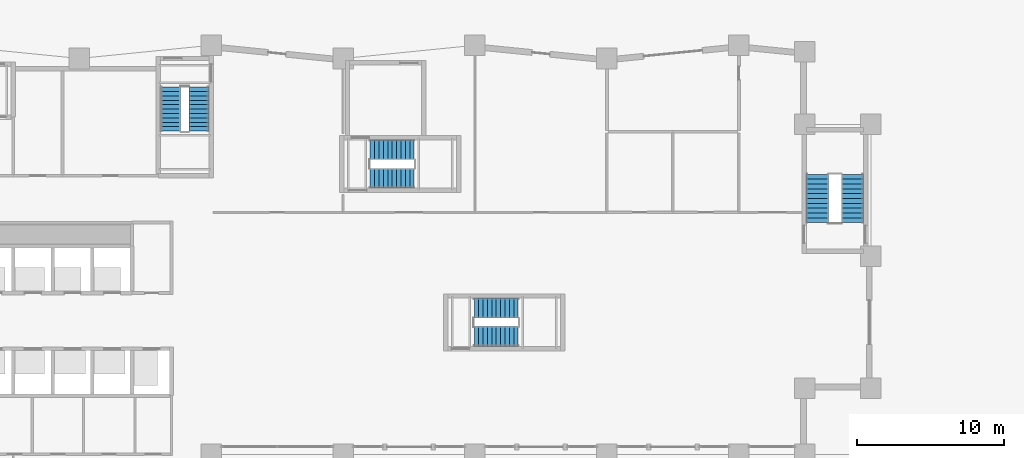
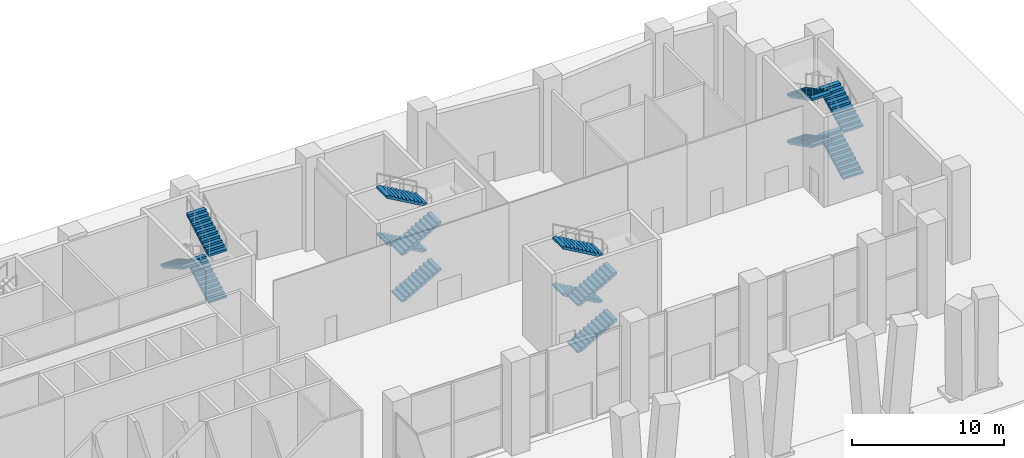
# One storey, part 12 of 16: 15 stair flights, 4 elements without a shape of their own.
"""IFC4 building model written with IfcOpenShell, lengths in metres."""

import ifcopenshell
import ifcopenshell.guid

model = None  # the IFC model being written
_history = None  # IfcOwnerHistory: only IFC2X3 demands one
_inside = {}  # id of a spatial element -> (the spatial element, [elements in it])
_under = {}  # id of a project, library or spatial element -> (it, [spatial elements below it])
_declared = {}  # id of a project -> (the project, [libraries it declares])
_typed = {}  # id of a type object -> (the type object, [elements of that type])
_made_of = {}  # id of a material, layer set ... -> (it, [elements and type objects made of it])


def new_model(schema):
    """Start an empty IFC model of exactly this schema.

    Asked for "IFC4X3", IfcOpenShell would pick the latest addendum, in which some entities
    have other attributes; the version numbers below select the first issue.
    IFC2X3 requires an IfcOwnerHistory on every rooted entity: one is made here for all.
    """
    global model, _history
    if schema == "IFC4X3":
        model = ifcopenshell.file(schema_version=(4, 3, 0, 0))
    else:
        model = ifcopenshell.file(schema=schema)
    _inside.clear()
    _under.clear()
    _declared.clear()
    _typed.clear()
    _made_of.clear()
    _history = None
    if model.schema == "IFC2X3":
        org = make("IfcOrganization", Name="unknown")
        user = make(
            "IfcPersonAndOrganization",
            ThePerson=make("IfcPerson", FamilyName="unknown"),
            TheOrganization=org,
        )
        app = make(
            "IfcApplication",
            ApplicationDeveloper=org,
            Version="unknown",
            ApplicationFullName="unknown",
            ApplicationIdentifier="unknown",
        )
        _history = make(
            "IfcOwnerHistory",
            OwningUser=user,
            OwningApplication=app,
            ChangeAction="ADDED",
            CreationDate=0,
        )
    return model


def make(cls, **values):
    """One entity of the class cls with the attributes given. An attribute that is None is left unset."""
    return model.create_entity(
        cls, **{name: value for name, value in values.items() if value is not None}
    )


def rooted(cls, **values):
    """An entity with a GlobalId (a new one), such as an element, a storey or a relation."""
    return make(cls, GlobalId=ifcopenshell.guid.new(), OwnerHistory=_history, **values)


def si_unit(unit_type, name, prefix=None):
    """IfcSIUnit, for example si_unit("LENGTHUNIT", "METRE", prefix="MILLI")."""
    return make("IfcSIUnit", UnitType=unit_type, Prefix=prefix, Name=name)


def assignment(units):
    """IfcUnitAssignment: the units of a project."""
    return None if units is None else make("IfcUnitAssignment", Units=units)


def point(xyz):
    """IfcCartesianPoint."""
    return None if xyz is None else make("IfcCartesianPoint", Coordinates=xyz)


def direction(xyz):
    """IfcDirection."""
    return None if xyz is None else make("IfcDirection", DirectionRatios=xyz)


def frame(location, z_axis=None, x_axis=None):
    """IfcAxis2Placement3D, a coordinate frame: its origin and axes. An axis left out is left unset."""
    return make(
        "IfcAxis2Placement3D",
        Location=point(location),
        Axis=direction(z_axis),
        RefDirection=direction(x_axis),
    )


def origin():
    """The frame at (0, 0, 0) with its axes left unset."""
    return frame((0.0, 0.0, 0.0))


def place(relative_to, where):
    """IfcLocalPlacement: puts the frame where relative to a parent placement (None: the world)."""
    return make(
        "IfcLocalPlacement", PlacementRelTo=relative_to, RelativePlacement=where
    )


def context(
    kind, dimensions, precision=None, world=None, true_north=None, identifier=None
):
    """IfcGeometricRepresentationContext, for example the 3D "Model" context."""
    return make(
        "IfcGeometricRepresentationContext",
        ContextIdentifier=identifier,
        ContextType=kind,
        CoordinateSpaceDimension=dimensions,
        Precision=precision,
        WorldCoordinateSystem=world,
        TrueNorth=true_north,
    )


def subcontext(parent, identifier, kind, view, scale=None):
    """IfcGeometricRepresentationSubContext, for example "Body" below "Model"."""
    return make(
        "IfcGeometricRepresentationSubContext",
        ContextIdentifier=identifier,
        ContextType=kind,
        ParentContext=parent,
        TargetScale=scale,
        TargetView=view,
    )


def project(units=None, contexts=None):
    """IfcProject with its units and contexts."""
    return rooted(
        "IfcProject",
        Name="project",
        RepresentationContexts=contexts,
        UnitsInContext=assignment(units),
    )


def spatial(cls, under=None, at=None, **own):
    """A site, building, storey or space (cls), placed at a placement, below another one or the project."""
    s = rooted(cls, ObjectPlacement=at, **own)
    if under is not None:
        _under.setdefault(under.id(), (under, []))[1].append(s)
    return s


def polyline(points):
    """IfcPolyline through the points."""
    return make("IfcPolyline", Points=[point(p) for p in points])


def outline(outer, holes=None, kind="AREA"):
    """IfcArbitraryClosedProfileDef: a profile drawn as a closed curve; with holes, ...WithVoids."""
    if holes is None:
        return make("IfcArbitraryClosedProfileDef", ProfileType=kind, OuterCurve=outer)
    return make(
        "IfcArbitraryProfileDefWithVoids",
        ProfileType=kind,
        OuterCurve=outer,
        InnerCurves=holes,
    )


def extrude(swept, where, along, depth):
    """IfcExtrudedAreaSolid: the profile swept, set in the frame where, extruded along a direction by depth."""
    return make(
        "IfcExtrudedAreaSolid",
        SweptArea=swept,
        Position=where,
        ExtrudedDirection=direction(along),
        Depth=depth,
    )


def shape(context_of_items, identifier, shape_type, items):
    """IfcShapeRepresentation: the items that make up one representation, for example the "Body"."""
    return make(
        "IfcShapeRepresentation",
        ContextOfItems=context_of_items,
        RepresentationIdentifier=identifier,
        RepresentationType=shape_type,
        Items=items,
    )


def material(Name=None, Category=None):
    """IfcMaterial."""
    return make("IfcMaterial", Name=Name, Category=Category)


def made_of(thing, what):
    """Note that an element or type object is made of a material, layer set ...; save() writes the relation."""
    if what is not None:
        _made_of.setdefault(what.id(), (what, []))[1].append(thing)
    return thing


def type_object(cls, material=None, **own):
    """A type object (cls), such as IfcWallType, which elements share."""
    return made_of(rooted(cls, **own), material)


def element(
    cls,
    number,
    at=None,
    inside=None,
    cuts=None,
    type_object=None,
    material=None,
    context=None,
    identifier="Body",
    shape_type=None,
    held_by="IfcProductDefinitionShape",
    body=None,
    shapes=None,
    **own,
):
    """One element of the class cls, such as IfcWall. Its Tag is "e" and its number.

    at: its placement. inside: the storey or other place that contains it. cuts: it is an
    opening in that element (IfcRelVoidsElement). A single representation is given by context,
    identifier, shape_type and body (its items); several are given by shapes. held_by: the class
    of the entity that holds the representations. save() writes the other relations.
    """
    e = rooted(cls, Tag="e%d" % number, ObjectPlacement=at, **own)
    if body is not None:
        shapes = [shape(context, identifier, shape_type, body)]
    if shapes is not None:
        e.Representation = make(held_by, Representations=shapes)
    if inside is not None:
        _inside.setdefault(inside.id(), (inside, []))[1].append(e)
    if cuts is not None:
        rooted(
            "IfcRelVoidsElement", RelatingBuildingElement=cuts, RelatedOpeningElement=e
        )
    if type_object is not None:
        _typed.setdefault(type_object.id(), (type_object, []))[1].append(e)
    return made_of(e, material)


def aggregate(whole, parts):
    """IfcRelAggregates: a whole, such as a stair, and the parts it consists of."""
    return rooted("IfcRelAggregates", RelatingObject=whole, RelatedObjects=parts)


def save(model, path):
    """Write the relations noted so far, then the file.

    IfcRelAggregates (storeys below a building ...), IfcRelContainedInSpatialStructure (elements
    in a storey), IfcRelDefinesByType, IfcRelAssociatesMaterial and IfcRelDeclares: one each for
    every whole, place, type object, material and project.
    """
    for whole, parts in _under.values():
        aggregate(whole, parts)
    for where, things in _inside.values():
        rooted(
            "IfcRelContainedInSpatialStructure",
            RelatedElements=things,
            RelatingStructure=where,
        )
    for kind, things in _typed.values():
        rooted("IfcRelDefinesByType", RelatedObjects=things, RelatingType=kind)
    for what, things in _made_of.values():
        rooted("IfcRelAssociatesMaterial", RelatedObjects=things, RelatingMaterial=what)
    for by, libraries in _declared.values():
        rooted("IfcRelDeclares", RelatingContext=by, RelatedDefinitions=libraries)
    model.write(path)


model = new_model("IFC4")

# Units and contexts
model_context = context("Model", 3, precision=1e-05, world=origin(), true_north=direction((0.0, 1.0)))
body_context = subcontext(model_context, "Body", "Model", "MODEL_VIEW")
ifc_project = project(units=[si_unit("LENGTHUNIT", "METRE"), si_unit("AREAUNIT", "SQUARE_METRE"), si_unit("VOLUMEUNIT", "CUBIC_METRE"), si_unit("PLANEANGLEUNIT", "RADIAN"), si_unit("MASSUNIT", "GRAM", prefix="KILO")], contexts=[model_context])

# Site, building, storey
site_placement = place(None, origin())
site = spatial("IfcSite", under=ifc_project, at=site_placement, CompositionType="ELEMENT")
building_placement = place(site_placement, origin())
building = spatial("IfcBuilding", under=site, at=building_placement, Name="Brondeck Convention Tower", CompositionType="ELEMENT")
storey_placement = place(building_placement, origin())
storey = spatial("IfcBuildingStorey", under=building, at=storey_placement, Name="L00", CompositionType="ELEMENT", Elevation=0.0)

# Stair, stair flights
ifc_material = material(Name="Precast concrete C50/60", Category="concrete")
stair_type_1 = type_object("IfcStairType", Name="Core stair 44 risers 170.45 mm riser 300 mm going 1350 wide", PredefinedType="HALF_TURN_STAIR", material=ifc_material)
stair_1_placement = place(storey_placement, origin())
stair_1 = element("IfcStair", 1, at=stair_1_placement, inside=storey, type_object=stair_type_1, Name="ST-2 L00 stair", PredefinedType="HALF_TURN_STAIR")
stair_flight_type_1 = type_object("IfcStairFlightType", Name="Core stair flight 44 risers 170.45 mm riser 300 mm going 1350 wide", PredefinedType="STRAIGHT", material=ifc_material)
stair_flight_1_placement = place(storey_placement, frame((26.175048828125, 58.050048828125, 1.875), z_axis=(0.0, 0.0, 1.0), x_axis=(0.0, 1.0, 0.0)))
stair_flight_1 = element("IfcStairFlight", 2, at=stair_flight_1_placement, type_object=stair_flight_type_1, Name="ST-2 flight 2", NumberOfRisers=11, NumberOfTreads=10, PredefinedType="STRAIGHT", RiserHeight=0.170454545, TreadLength=0.3, context=body_context, shape_type="SweptSolid", body=[
    extrude(outline(polyline([(0.0, 0.0), (0.0, 0.17041015625), (0.300048828125, 0.17041015625), (0.300048828125, 0.3408203125), (0.60009765625, 0.3408203125), (0.60009765625, 0.511474609375), (0.89990234375, 0.511474609375), (0.89990234375, 0.681884765625), (1.199951171875, 0.681884765625), (1.199951171875, 0.852294921875), (1.5, 0.852294921875), (1.5, 1.022705078125), (1.800048828125, 1.022705078125), (1.800048828125, 1.193115234375), (2.10009765625, 1.193115234375), (2.10009765625, 1.363525390625), (2.39990234375, 1.363525390625), (2.39990234375, 1.5341796875), (2.699951171875, 1.5341796875), (2.699951171875, 1.70458984375), (3.0, 1.70458984375), (3.0, 1.875), (3.0, 1.5322265625), (0.303466796875, 0.0), (0.0, 0.0)])), frame((0.0, 0.675048828125, 0.0), z_axis=(0.0, -1.0, 0.0), x_axis=(1.0, 0.0, 0.0)), (0.0, 0.0, 1.0), 1.35009765625),
])
stair_flight_2_placement = place(storey_placement, frame((24.22509765625, 61.050048828125, 3.75), z_axis=(0.0, 0.0, 1.0), x_axis=(0.0, -1.0, 0.0)))
stair_flight_2 = element("IfcStairFlight", 3, at=stair_flight_2_placement, type_object=stair_flight_type_1, Name="ST-2 flight 3", NumberOfRisers=11, NumberOfTreads=10, PredefinedType="STRAIGHT", RiserHeight=0.170454545, TreadLength=0.3, context=body_context, shape_type="SweptSolid", body=[
    extrude(outline(polyline([(0.0, 0.0), (0.0, 0.17041015625), (0.300048828125, 0.17041015625), (0.300048828125, 0.3408203125), (0.60009765625, 0.3408203125), (0.60009765625, 0.511474609375), (0.89990234375, 0.511474609375), (0.89990234375, 0.681884765625), (1.199951171875, 0.681884765625), (1.199951171875, 0.852294921875), (1.5, 0.852294921875), (1.5, 1.022705078125), (1.800048828125, 1.022705078125), (1.800048828125, 1.193115234375), (2.10009765625, 1.193115234375), (2.10009765625, 1.363525390625), (2.39990234375, 1.363525390625), (2.39990234375, 1.5341796875), (2.699951171875, 1.5341796875), (2.699951171875, 1.70458984375), (3.0, 1.70458984375), (3.0, 1.875), (3.0, 1.5322265625), (0.303466796875, 0.0), (0.0, 0.0)])), frame((0.0, 0.675048828125, 0.0), z_axis=(0.0, -1.0, 0.0), x_axis=(1.0, 0.0, 0.0)), (0.0, 0.0, 1.0), 1.35009765625),
])
stair_flight_3_placement = place(storey_placement, frame((26.175048828125, 58.050048828125, 5.625), z_axis=(0.0, 0.0, 1.0), x_axis=(0.0, 1.0, 0.0)))
stair_flight_3 = element("IfcStairFlight", 4, at=stair_flight_3_placement, type_object=stair_flight_type_1, Name="ST-2 flight 4", NumberOfRisers=11, NumberOfTreads=10, PredefinedType="STRAIGHT", RiserHeight=0.170454545, TreadLength=0.3, context=body_context, shape_type="SweptSolid", body=[
    extrude(outline(polyline([(0.0, 0.0), (0.0, 0.17041015625), (0.300048828125, 0.17041015625), (0.300048828125, 0.3408203125), (0.60009765625, 0.3408203125), (0.60009765625, 0.511474609375), (0.89990234375, 0.511474609375), (0.89990234375, 0.681884765625), (1.199951171875, 0.681884765625), (1.199951171875, 0.852294921875), (1.5, 0.852294921875), (1.5, 1.022705078125), (1.800048828125, 1.022705078125), (1.800048828125, 1.193115234375), (2.10009765625, 1.193115234375), (2.10009765625, 1.363525390625), (2.39990234375, 1.363525390625), (2.39990234375, 1.5341796875), (2.699951171875, 1.5341796875), (2.699951171875, 1.70458984375), (3.0, 1.70458984375), (3.0, 1.875), (3.0, 1.5322265625), (0.303466796875, 0.0), (0.0, 0.0)])), frame((0.0, 0.675048828125, 0.0), z_axis=(0.0, -1.0, 0.0), x_axis=(1.0, 0.0, 0.0)), (0.0, 0.0, 1.0), 1.35009765625),
])
aggregate(stair_1, [stair_flight_1, stair_flight_2, stair_flight_3])

stair_2_placement = place(storey_placement, origin())
stair_2 = element("IfcStair", 5, at=stair_2_placement, inside=storey, type_object=stair_type_1, Name="ST-AE L00 stair", PredefinedType="HALF_TURN_STAIR")
stair_flight_4_placement = place(storey_placement, frame((37.85009765625, 54.824951171875, 0.0), z_axis=(0.0, 0.0, 1.0), x_axis=(1.0, 0.0, 0.0)))
stair_flight_4 = element("IfcStairFlight", 6, at=stair_flight_4_placement, type_object=stair_flight_type_1, Name="ST-AE flight 1", NumberOfRisers=11, NumberOfTreads=10, PredefinedType="STRAIGHT", RiserHeight=0.170454545, TreadLength=0.3, context=body_context, shape_type="SweptSolid", body=[
    extrude(outline(polyline([(0.0, 0.0), (0.0, 0.17041015625), (0.300048828125, 0.17041015625), (0.300048828125, 0.3408203125), (0.60009765625, 0.3408203125), (0.60009765625, 0.511474609375), (0.89990234375, 0.511474609375), (0.89990234375, 0.681884765625), (1.199951171875, 0.681884765625), (1.199951171875, 0.852294921875), (1.5, 0.852294921875), (1.5, 1.022705078125), (1.800048828125, 1.022705078125), (1.800048828125, 1.193115234375), (2.10009765625, 1.193115234375), (2.10009765625, 1.363525390625), (2.39990234375, 1.363525390625), (2.39990234375, 1.5341796875), (2.699951171875, 1.5341796875), (2.699951171875, 1.70458984375), (3.0, 1.70458984375), (3.0, 1.875), (3.0, 1.5322265625), (0.303466796875, 0.0), (0.0, 0.0)])), frame((0.0, 0.675048828125, 0.0), z_axis=(0.0, -1.0, 0.0), x_axis=(1.0, 0.0, 0.0)), (0.0, 0.0, 1.0), 1.35009765625),
])
stair_flight_5_placement = place(storey_placement, frame((40.85009765625, 56.77490234375, 1.875), z_axis=(0.0, 0.0, 1.0), x_axis=(-1.0, 0.0, 0.0)))
stair_flight_5 = element("IfcStairFlight", 7, at=stair_flight_5_placement, type_object=stair_flight_type_1, Name="ST-AE flight 2", NumberOfRisers=11, NumberOfTreads=10, PredefinedType="STRAIGHT", RiserHeight=0.170454545, TreadLength=0.3, context=body_context, shape_type="SweptSolid", body=[
    extrude(outline(polyline([(0.0, 0.0), (0.0, 0.17041015625), (0.300048828125, 0.17041015625), (0.300048828125, 0.3408203125), (0.60009765625, 0.3408203125), (0.60009765625, 0.511474609375), (0.89990234375, 0.511474609375), (0.89990234375, 0.681884765625), (1.199951171875, 0.681884765625), (1.199951171875, 0.852294921875), (1.5, 0.852294921875), (1.5, 1.022705078125), (1.800048828125, 1.022705078125), (1.800048828125, 1.193115234375), (2.10009765625, 1.193115234375), (2.10009765625, 1.363525390625), (2.39990234375, 1.363525390625), (2.39990234375, 1.5341796875), (2.699951171875, 1.5341796875), (2.699951171875, 1.70458984375), (3.0, 1.70458984375), (3.0, 1.875), (3.0, 1.5322265625), (0.303466796875, 0.0), (0.0, 0.0)])), frame((0.0, 0.675048828125, 0.0), z_axis=(0.0, -1.0, 0.0), x_axis=(1.0, 0.0, 0.0)), (0.0, 0.0, 1.0), 1.35009765625),
])
stair_flight_6_placement = place(storey_placement, frame((37.85009765625, 54.824951171875, 3.75), z_axis=(0.0, 0.0, 1.0), x_axis=(1.0, 0.0, 0.0)))
stair_flight_6 = element("IfcStairFlight", 8, at=stair_flight_6_placement, type_object=stair_flight_type_1, Name="ST-AE flight 3", NumberOfRisers=11, NumberOfTreads=10, PredefinedType="STRAIGHT", RiserHeight=0.170454545, TreadLength=0.3, context=body_context, shape_type="SweptSolid", body=[
    extrude(outline(polyline([(0.0, 0.0), (0.0, 0.17041015625), (0.300048828125, 0.17041015625), (0.300048828125, 0.3408203125), (0.60009765625, 0.3408203125), (0.60009765625, 0.511474609375), (0.89990234375, 0.511474609375), (0.89990234375, 0.681884765625), (1.199951171875, 0.681884765625), (1.199951171875, 0.852294921875), (1.5, 0.852294921875), (1.5, 1.022705078125), (1.800048828125, 1.022705078125), (1.800048828125, 1.193115234375), (2.10009765625, 1.193115234375), (2.10009765625, 1.363525390625), (2.39990234375, 1.363525390625), (2.39990234375, 1.5341796875), (2.699951171875, 1.5341796875), (2.699951171875, 1.70458984375), (3.0, 1.70458984375), (3.0, 1.875), (3.0, 1.5322265625), (0.303466796875, 0.0), (0.0, 0.0)])), frame((0.0, 0.675048828125, 0.0), z_axis=(0.0, -1.0, 0.0), x_axis=(1.0, 0.0, 0.0)), (0.0, 0.0, 1.0), 1.35009765625),
])
stair_flight_7_placement = place(storey_placement, frame((40.85009765625, 56.77490234375, 5.625), z_axis=(0.0, 0.0, 1.0), x_axis=(-1.0, 0.0, 0.0)))
stair_flight_7 = element("IfcStairFlight", 9, at=stair_flight_7_placement, type_object=stair_flight_type_1, Name="ST-AE flight 4", NumberOfRisers=11, NumberOfTreads=10, PredefinedType="STRAIGHT", RiserHeight=0.170454545, TreadLength=0.3, context=body_context, shape_type="SweptSolid", body=[
    extrude(outline(polyline([(0.0, 0.0), (0.0, 0.17041015625), (0.300048828125, 0.17041015625), (0.300048828125, 0.3408203125), (0.60009765625, 0.3408203125), (0.60009765625, 0.511474609375), (0.89990234375, 0.511474609375), (0.89990234375, 0.681884765625), (1.199951171875, 0.681884765625), (1.199951171875, 0.852294921875), (1.5, 0.852294921875), (1.5, 1.022705078125), (1.800048828125, 1.022705078125), (1.800048828125, 1.193115234375), (2.10009765625, 1.193115234375), (2.10009765625, 1.363525390625), (2.39990234375, 1.363525390625), (2.39990234375, 1.5341796875), (2.699951171875, 1.5341796875), (2.699951171875, 1.70458984375), (3.0, 1.70458984375), (3.0, 1.875), (3.0, 1.5322265625), (0.303466796875, 0.0), (0.0, 0.0)])), frame((0.0, 0.675048828125, 0.0), z_axis=(0.0, -1.0, 0.0), x_axis=(1.0, 0.0, 0.0)), (0.0, 0.0, 1.0), 1.35009765625),
])
aggregate(stair_2, [stair_flight_4, stair_flight_5, stair_flight_6, stair_flight_7])

stair_3_placement = place(storey_placement, origin())
stair_3 = element("IfcStair", 10, at=stair_3_placement, inside=storey, type_object=stair_type_1, Name="ST-AF L00 stair", PredefinedType="HALF_TURN_STAIR")
stair_flight_8_placement = place(storey_placement, frame((44.949951171875, 44.02490234375, 0.0), z_axis=(0.0, 0.0, 1.0), x_axis=(1.0, 0.0, 0.0)))
stair_flight_8 = element("IfcStairFlight", 11, at=stair_flight_8_placement, type_object=stair_flight_type_1, Name="ST-AF flight 1", NumberOfRisers=11, NumberOfTreads=10, PredefinedType="STRAIGHT", RiserHeight=0.170454545, TreadLength=0.3, context=body_context, shape_type="SweptSolid", body=[
    extrude(outline(polyline([(0.0, 0.0), (0.0, 0.17041015625), (0.300048828125, 0.17041015625), (0.300048828125, 0.3408203125), (0.60009765625, 0.3408203125), (0.60009765625, 0.511474609375), (0.89990234375, 0.511474609375), (0.89990234375, 0.681884765625), (1.199951171875, 0.681884765625), (1.199951171875, 0.852294921875), (1.5, 0.852294921875), (1.5, 1.022705078125), (1.800048828125, 1.022705078125), (1.800048828125, 1.193115234375), (2.10009765625, 1.193115234375), (2.10009765625, 1.363525390625), (2.39990234375, 1.363525390625), (2.39990234375, 1.5341796875), (2.699951171875, 1.5341796875), (2.699951171875, 1.70458984375), (3.0, 1.70458984375), (3.0, 1.875), (3.0, 1.5322265625), (0.303466796875, 0.0), (0.0, 0.0)])), frame((0.0, 0.675048828125, 0.0), z_axis=(0.0, -1.0, 0.0), x_axis=(1.0, 0.0, 0.0)), (0.0, 0.0, 1.0), 1.35009765625),
])
stair_flight_9_placement = place(storey_placement, frame((47.949951171875, 45.97509765625, 1.875), z_axis=(0.0, 0.0, 1.0), x_axis=(-1.0, 0.0, 0.0)))
stair_flight_9 = element("IfcStairFlight", 12, at=stair_flight_9_placement, type_object=stair_flight_type_1, Name="ST-AF flight 2", NumberOfRisers=11, NumberOfTreads=10, PredefinedType="STRAIGHT", RiserHeight=0.170454545, TreadLength=0.3, context=body_context, shape_type="SweptSolid", body=[
    extrude(outline(polyline([(0.0, 0.0), (0.0, 0.17041015625), (0.300048828125, 0.17041015625), (0.300048828125, 0.3408203125), (0.60009765625, 0.3408203125), (0.60009765625, 0.511474609375), (0.89990234375, 0.511474609375), (0.89990234375, 0.681884765625), (1.199951171875, 0.681884765625), (1.199951171875, 0.852294921875), (1.5, 0.852294921875), (1.5, 1.022705078125), (1.800048828125, 1.022705078125), (1.800048828125, 1.193115234375), (2.10009765625, 1.193115234375), (2.10009765625, 1.363525390625), (2.39990234375, 1.363525390625), (2.39990234375, 1.5341796875), (2.699951171875, 1.5341796875), (2.699951171875, 1.70458984375), (3.0, 1.70458984375), (3.0, 1.875), (3.0, 1.5322265625), (0.303466796875, 0.0), (0.0, 0.0)])), frame((0.0, 0.675048828125, 0.0), z_axis=(0.0, -1.0, 0.0), x_axis=(1.0, 0.0, 0.0)), (0.0, 0.0, 1.0), 1.35009765625),
])
stair_flight_10_placement = place(storey_placement, frame((44.949951171875, 44.02490234375, 3.75), z_axis=(0.0, 0.0, 1.0), x_axis=(1.0, 0.0, 0.0)))
stair_flight_10 = element("IfcStairFlight", 13, at=stair_flight_10_placement, type_object=stair_flight_type_1, Name="ST-AF flight 3", NumberOfRisers=11, NumberOfTreads=10, PredefinedType="STRAIGHT", RiserHeight=0.170454545, TreadLength=0.3, context=body_context, shape_type="SweptSolid", body=[
    extrude(outline(polyline([(0.0, 0.0), (0.0, 0.17041015625), (0.300048828125, 0.17041015625), (0.300048828125, 0.3408203125), (0.60009765625, 0.3408203125), (0.60009765625, 0.511474609375), (0.89990234375, 0.511474609375), (0.89990234375, 0.681884765625), (1.199951171875, 0.681884765625), (1.199951171875, 0.852294921875), (1.5, 0.852294921875), (1.5, 1.022705078125), (1.800048828125, 1.022705078125), (1.800048828125, 1.193115234375), (2.10009765625, 1.193115234375), (2.10009765625, 1.363525390625), (2.39990234375, 1.363525390625), (2.39990234375, 1.5341796875), (2.699951171875, 1.5341796875), (2.699951171875, 1.70458984375), (3.0, 1.70458984375), (3.0, 1.875), (3.0, 1.5322265625), (0.303466796875, 0.0), (0.0, 0.0)])), frame((0.0, 0.675048828125, 0.0), z_axis=(0.0, -1.0, 0.0), x_axis=(1.0, 0.0, 0.0)), (0.0, 0.0, 1.0), 1.35009765625),
])
stair_flight_11_placement = place(storey_placement, frame((47.949951171875, 45.97509765625, 5.625), z_axis=(0.0, 0.0, 1.0), x_axis=(-1.0, 0.0, 0.0)))
stair_flight_11 = element("IfcStairFlight", 14, at=stair_flight_11_placement, type_object=stair_flight_type_1, Name="ST-AF flight 4", NumberOfRisers=11, NumberOfTreads=10, PredefinedType="STRAIGHT", RiserHeight=0.170454545, TreadLength=0.3, context=body_context, shape_type="SweptSolid", body=[
    extrude(outline(polyline([(0.0, 0.0), (0.0, 0.17041015625), (0.300048828125, 0.17041015625), (0.300048828125, 0.3408203125), (0.60009765625, 0.3408203125), (0.60009765625, 0.511474609375), (0.89990234375, 0.511474609375), (0.89990234375, 0.681884765625), (1.199951171875, 0.681884765625), (1.199951171875, 0.852294921875), (1.5, 0.852294921875), (1.5, 1.022705078125), (1.800048828125, 1.022705078125), (1.800048828125, 1.193115234375), (2.10009765625, 1.193115234375), (2.10009765625, 1.363525390625), (2.39990234375, 1.363525390625), (2.39990234375, 1.5341796875), (2.699951171875, 1.5341796875), (2.699951171875, 1.70458984375), (3.0, 1.70458984375), (3.0, 1.875), (3.0, 1.5322265625), (0.303466796875, 0.0), (0.0, 0.0)])), frame((0.0, 0.675048828125, 0.0), z_axis=(0.0, -1.0, 0.0), x_axis=(1.0, 0.0, 0.0)), (0.0, 0.0, 1.0), 1.35009765625),
])
aggregate(stair_3, [stair_flight_8, stair_flight_9, stair_flight_10, stair_flight_11])

stair_type_2 = type_object("IfcStairType", Name="Core stair 44 risers 170.45 mm riser 330 mm going 1500 wide", PredefinedType="HALF_TURN_STAIR", material=ifc_material)
stair_4_placement = place(storey_placement, origin())
stair_4 = element("IfcStair", 15, at=stair_4_placement, inside=storey, type_object=stair_type_2, Name="PS-1 L00 stair", PredefinedType="HALF_TURN_STAIR")
stair_flight_type_2 = type_object("IfcStairFlightType", Name="Core stair flight 44 risers 170.45 mm riser 330 mm going 1500 wide", PredefinedType="STRAIGHT", material=ifc_material)
stair_flight_12_placement = place(storey_placement, frame((70.75, 51.800048828125, 0.0), z_axis=(0.0, 0.0, 1.0), x_axis=(0.0, 1.0, 0.0)))
stair_flight_12 = element("IfcStairFlight", 16, at=stair_flight_12_placement, type_object=stair_flight_type_2, Name="PS-1 flight 1", NumberOfRisers=11, NumberOfTreads=10, PredefinedType="STRAIGHT", RiserHeight=0.170454545, TreadLength=0.33, context=body_context, shape_type="SweptSolid", body=[
    extrude(outline(polyline([(0.0, 0.0), (0.0, 0.17041015625), (0.330078125, 0.17041015625), (0.330078125, 0.3408203125), (0.659912109375, 0.3408203125), (0.659912109375, 0.511474609375), (0.989990234375, 0.511474609375), (0.989990234375, 0.681884765625), (1.320068359375, 0.681884765625), (1.320068359375, 0.852294921875), (1.64990234375, 0.852294921875), (1.64990234375, 1.022705078125), (1.97998046875, 1.022705078125), (1.97998046875, 1.193115234375), (2.31005859375, 1.193115234375), (2.31005859375, 1.363525390625), (2.639892578125, 1.363525390625), (2.639892578125, 1.5341796875), (2.969970703125, 1.5341796875), (2.969970703125, 1.70458984375), (3.300048828125, 1.70458984375), (3.300048828125, 1.875), (3.300048828125, 1.535888671875), (0.32666015625, 0.0), (0.0, 0.0)])), frame((0.0, 0.75, 0.0), z_axis=(0.0, -1.0, 0.0), x_axis=(1.0, 0.0, 0.0)), (0.0, 0.0, 1.0), 1.5),
])
stair_flight_13_placement = place(storey_placement, frame((68.35009765625, 55.10009765625, 1.875), z_axis=(0.0, 0.0, 1.0), x_axis=(0.0, -1.0, 0.0)))
stair_flight_13 = element("IfcStairFlight", 17, at=stair_flight_13_placement, type_object=stair_flight_type_2, Name="PS-1 flight 2", NumberOfRisers=11, NumberOfTreads=10, PredefinedType="STRAIGHT", RiserHeight=0.170454545, TreadLength=0.33, context=body_context, shape_type="SweptSolid", body=[
    extrude(outline(polyline([(0.0, 0.0), (0.0, 0.17041015625), (0.330078125, 0.17041015625), (0.330078125, 0.3408203125), (0.659912109375, 0.3408203125), (0.659912109375, 0.511474609375), (0.989990234375, 0.511474609375), (0.989990234375, 0.681884765625), (1.320068359375, 0.681884765625), (1.320068359375, 0.852294921875), (1.64990234375, 0.852294921875), (1.64990234375, 1.022705078125), (1.97998046875, 1.022705078125), (1.97998046875, 1.193115234375), (2.31005859375, 1.193115234375), (2.31005859375, 1.363525390625), (2.639892578125, 1.363525390625), (2.639892578125, 1.5341796875), (2.969970703125, 1.5341796875), (2.969970703125, 1.70458984375), (3.300048828125, 1.70458984375), (3.300048828125, 1.875), (3.300048828125, 1.535888671875), (0.32666015625, 0.0), (0.0, 0.0)])), frame((0.0, 0.75, 0.0), z_axis=(0.0, -1.0, 0.0), x_axis=(1.0, 0.0, 0.0)), (0.0, 0.0, 1.0), 1.5),
])
stair_flight_14_placement = place(storey_placement, frame((70.75, 51.800048828125, 3.75), z_axis=(0.0, 0.0, 1.0), x_axis=(0.0, 1.0, 0.0)))
stair_flight_14 = element("IfcStairFlight", 18, at=stair_flight_14_placement, type_object=stair_flight_type_2, Name="PS-1 flight 3", NumberOfRisers=11, NumberOfTreads=10, PredefinedType="STRAIGHT", RiserHeight=0.170454545, TreadLength=0.33, context=body_context, shape_type="SweptSolid", body=[
    extrude(outline(polyline([(0.0, 0.0), (0.0, 0.17041015625), (0.330078125, 0.17041015625), (0.330078125, 0.3408203125), (0.659912109375, 0.3408203125), (0.659912109375, 0.511474609375), (0.989990234375, 0.511474609375), (0.989990234375, 0.681884765625), (1.320068359375, 0.681884765625), (1.320068359375, 0.852294921875), (1.64990234375, 0.852294921875), (1.64990234375, 1.022705078125), (1.97998046875, 1.022705078125), (1.97998046875, 1.193115234375), (2.31005859375, 1.193115234375), (2.31005859375, 1.363525390625), (2.639892578125, 1.363525390625), (2.639892578125, 1.5341796875), (2.969970703125, 1.5341796875), (2.969970703125, 1.70458984375), (3.300048828125, 1.70458984375), (3.300048828125, 1.875), (3.300048828125, 1.535888671875), (0.32666015625, 0.0), (0.0, 0.0)])), frame((0.0, 0.75, 0.0), z_axis=(0.0, -1.0, 0.0), x_axis=(1.0, 0.0, 0.0)), (0.0, 0.0, 1.0), 1.5),
])
stair_flight_15_placement = place(storey_placement, frame((68.35009765625, 55.10009765625, 5.625), z_axis=(0.0, 0.0, 1.0), x_axis=(0.0, -1.0, 0.0)))
stair_flight_15 = element("IfcStairFlight", 19, at=stair_flight_15_placement, type_object=stair_flight_type_2, Name="PS-1 flight 4", NumberOfRisers=11, NumberOfTreads=10, PredefinedType="STRAIGHT", RiserHeight=0.170454545, TreadLength=0.33, context=body_context, shape_type="SweptSolid", body=[
    extrude(outline(polyline([(0.0, 0.0), (0.0, 0.17041015625), (0.330078125, 0.17041015625), (0.330078125, 0.3408203125), (0.659912109375, 0.3408203125), (0.659912109375, 0.511474609375), (0.989990234375, 0.511474609375), (0.989990234375, 0.681884765625), (1.320068359375, 0.681884765625), (1.320068359375, 0.852294921875), (1.64990234375, 0.852294921875), (1.64990234375, 1.022705078125), (1.97998046875, 1.022705078125), (1.97998046875, 1.193115234375), (2.31005859375, 1.193115234375), (2.31005859375, 1.363525390625), (2.639892578125, 1.363525390625), (2.639892578125, 1.5341796875), (2.969970703125, 1.5341796875), (2.969970703125, 1.70458984375), (3.300048828125, 1.70458984375), (3.300048828125, 1.875), (3.300048828125, 1.535888671875), (0.32666015625, 0.0), (0.0, 0.0)])), frame((0.0, 0.75, 0.0), z_axis=(0.0, -1.0, 0.0), x_axis=(1.0, 0.0, 0.0)), (0.0, 0.0, 1.0), 1.5),
])
aggregate(stair_4, [stair_flight_12, stair_flight_13, stair_flight_14, stair_flight_15])

save(model, "model.ifc")
